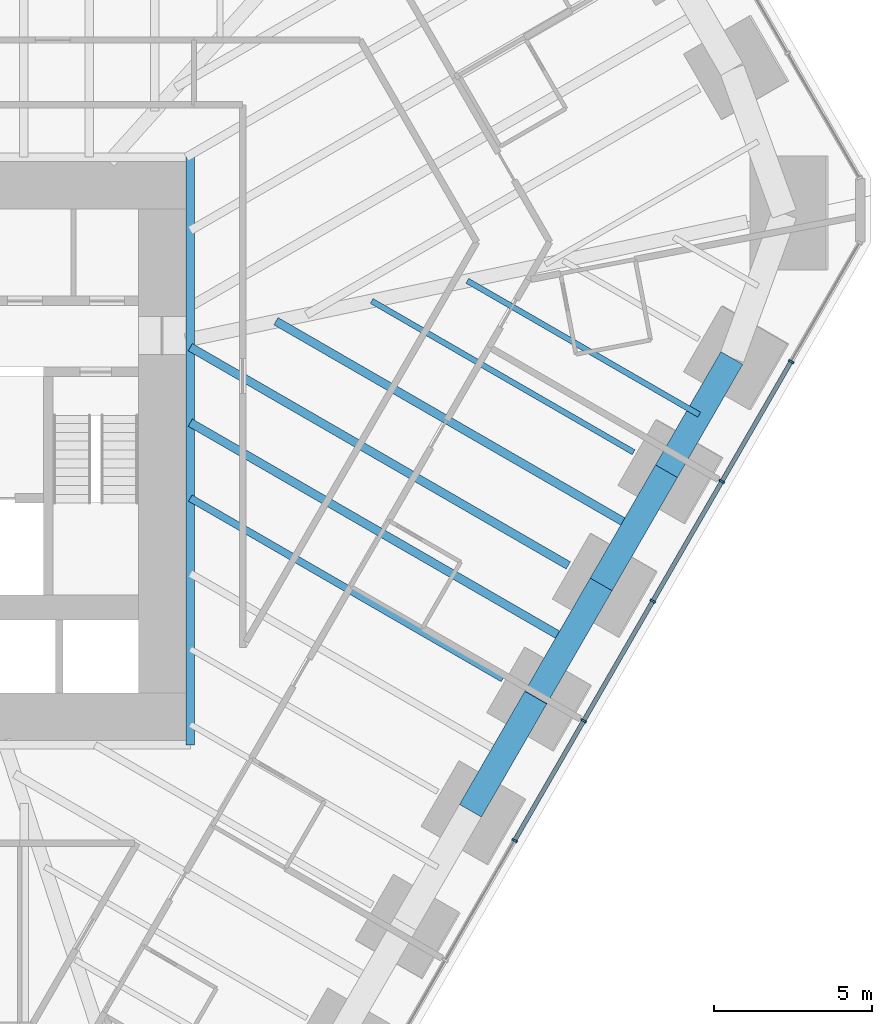
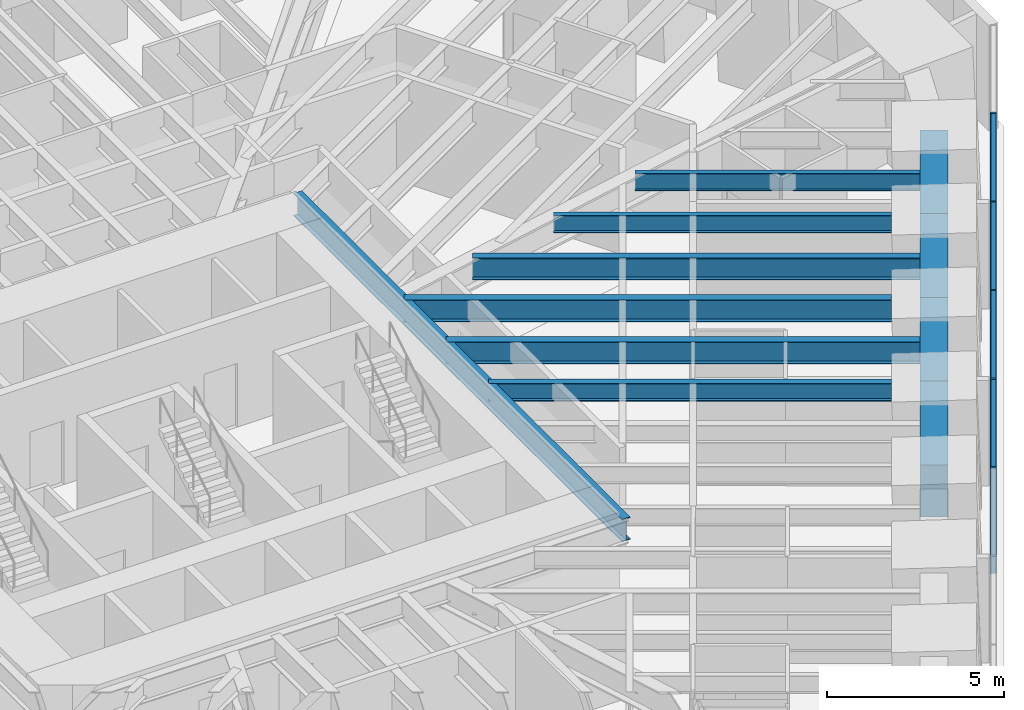
# One storey, part 6 of 17: 11 beams, 9 members, 1 element without a shape of its own.
"""IFC4 building model written with IfcOpenShell, lengths in metres."""

from ifc_helpers import new_model, si_unit, direction, frame, origin, origin_2d, place, context, subcontext, project, spatial, rectangle, i_section, extrude, material, material_profile, profile_set, type_object, element, aggregate, save


model = new_model("IFC4")

# Units and contexts
model_context = context("Model", 3, precision=1e-05, world=origin(), true_north=direction((0.0, 1.0)))
body_context = subcontext(model_context, "Body", "Model", "MODEL_VIEW")
ifc_project = project(units=[si_unit("LENGTHUNIT", "METRE"), si_unit("AREAUNIT", "SQUARE_METRE"), si_unit("VOLUMEUNIT", "CUBIC_METRE"), si_unit("PLANEANGLEUNIT", "RADIAN"), si_unit("MASSUNIT", "GRAM", prefix="KILO")], contexts=[model_context])

# Site, building, storey
site_placement = place(None, origin())
site = spatial("IfcSite", under=ifc_project, at=site_placement, CompositionType="ELEMENT")
building_placement = place(site_placement, origin())
building = spatial("IfcBuilding", under=site, at=building_placement, Name="Sandreach Pilgrim Tower", CompositionType="ELEMENT")
storey_placement = place(building_placement, frame((0.0, 0.0, 64.800048828125)))
storey = spatial("IfcBuildingStorey", under=building, at=storey_placement, Name="L15", CompositionType="ELEMENT", Elevation=64.800048828125)

# Curtain wall, members
ifc_material_1 = material(Name="Aluminium framed curtain wall", Category="aluminium")
curtain_wall_type = type_object("IfcCurtainWallType", Name="Hostel tower curtain wall", PredefinedType="NOTDEFINED", material=ifc_material_1)
curtain_wall_placement = place(storey_placement, origin())
curtain_wall = element("IfcCurtainWall", 1, at=curtain_wall_placement, inside=storey, type_object=curtain_wall_type, Name="CW-1 L15 SE", PredefinedType="NOTDEFINED")
ifc_material_2 = material(Name="Aluminium extrusion", Category="aluminium")
ifc_material_profile_1 = material_profile(ifc_material_2, rectangle(XDim=0.06494140625, YDim=0.179931640625, at=origin_2d()), Name="CW-1M 65X180")
ifc_profile_set_1 = profile_set([ifc_material_profile_1], Name="Aluminium extrusion")
member_type_1 = type_object("IfcMemberType", Name="CW-1 mullion", PredefinedType="MULLION", material=ifc_profile_set_1)
member_1_placement = place(storey_placement, frame((28.390380859375, 1.2763671875, 0.0), z_axis=(0.0, 0.0, 1.0), x_axis=(-0.5, -0.866025403784, 0.0)))
member_1 = element("IfcMember", 2, at=member_1_placement, type_object=member_type_1, Name="CW-1 mullion 2", PredefinedType="MULLION", context=body_context, shape_type="SweptSolid", body=[
    extrude(rectangle(XDim=0.06494140625, YDim=0.179931640625, at=origin_2d()), origin(), (0.0, 0.0, 1.0), 3.639892578125),
])
member_2_placement = place(storey_placement, frame((26.20458984375, -2.509521484375, 0.0), z_axis=(0.0, 0.0, 1.0), x_axis=(-0.5, -0.866025403784, 0.0)))
member_2 = element("IfcMember", 3, at=member_2_placement, type_object=member_type_1, Name="CW-1 mullion 3", PredefinedType="MULLION", context=body_context, shape_type="SweptSolid", body=[
    extrude(rectangle(XDim=0.06494140625, YDim=0.179931640625, at=origin_2d()), origin(), (0.0, 0.0, 1.0), 3.639892578125),
])
member_3_placement = place(storey_placement, frame((24.018798828125, -6.29541015625, 0.0), z_axis=(0.0, 0.0, 1.0), x_axis=(-0.5, -0.866025403784, 0.0)))
member_3 = element("IfcMember", 4, at=member_3_placement, type_object=member_type_1, Name="CW-1 mullion 4", PredefinedType="MULLION", context=body_context, shape_type="SweptSolid", body=[
    extrude(rectangle(XDim=0.06494140625, YDim=0.179931640625, at=origin_2d()), origin(), (0.0, 0.0, 1.0), 3.639892578125),
])
member_4_placement = place(storey_placement, frame((21.8330078125, -10.081298828125, 0.0), z_axis=(0.0, 0.0, 1.0), x_axis=(-0.5, -0.866025403784, 0.0)))
member_4 = element("IfcMember", 5, at=member_4_placement, type_object=member_type_1, Name="CW-1 mullion 5", PredefinedType="MULLION", context=body_context, shape_type="SweptSolid", body=[
    extrude(rectangle(XDim=0.06494140625, YDim=0.179931640625, at=origin_2d()), origin(), (0.0, 0.0, 1.0), 3.639892578125),
])
member_5_placement = place(storey_placement, frame((19.647216796875, -13.8671875, 0.0), z_axis=(0.0, 0.0, 1.0), x_axis=(-0.5, -0.866025403784, 0.0)))
member_5 = element("IfcMember", 6, at=member_5_placement, type_object=member_type_1, Name="CW-1 mullion 6", PredefinedType="MULLION", context=body_context, shape_type="SweptSolid", body=[
    extrude(rectangle(XDim=0.06494140625, YDim=0.179931640625, at=origin_2d()), origin(), (0.0, 0.0, 1.0), 3.639892578125),
])
ifc_material_3 = material(Name="Aluminium extrusion", Category="aluminium")
ifc_material_profile_2 = material_profile(ifc_material_3, rectangle(XDim=0.139892578125, YDim=0.070068359375, at=origin_2d()), Name="CW-1T 140X70")
ifc_profile_set_2 = profile_set([ifc_material_profile_2], Name="Aluminium extrusion")
member_type_2 = type_object("IfcMemberType", Name="CW-1 transom", PredefinedType="USERDEFINED", material=ifc_profile_set_2)
member_6_placement = place(storey_placement, frame((28.374267578125, 1.248046875, 3.60498046875), z_axis=(-0.500016891966, -0.866015650984, 0.0), x_axis=(0.866015650984, -0.500016891966, 0.0)))
member_6 = element("IfcMember", 7, at=member_6_placement, type_object=member_type_2, Name="CW-1 head transom 2", ObjectType="TRANSOM", PredefinedType="USERDEFINED", context=body_context, shape_type="SweptSolid", body=[
    extrude(rectangle(XDim=0.139892578125, YDim=0.070068359375, at=origin_2d()), origin(), (0.0, 0.0, 1.0), 4.306396484375),
])
member_7_placement = place(storey_placement, frame((26.1884765625, -2.537841796875, 3.60498046875), z_axis=(-0.500016891966, -0.866015650984, 0.0), x_axis=(0.866015650984, -0.500016891966, 0.0)))
member_7 = element("IfcMember", 8, at=member_7_placement, type_object=member_type_2, Name="CW-1 head transom 3", ObjectType="TRANSOM", PredefinedType="USERDEFINED", context=body_context, shape_type="SweptSolid", body=[
    extrude(rectangle(XDim=0.139892578125, YDim=0.070068359375, at=origin_2d()), origin(), (0.0, 0.0, 1.0), 4.306396484375),
])
member_8_placement = place(storey_placement, frame((24.002685546875, -6.32373046875, 3.60498046875), z_axis=(-0.500016891966, -0.866015650984, 0.0), x_axis=(0.866015650984, -0.500016891966, 0.0)))
member_8 = element("IfcMember", 9, at=member_8_placement, type_object=member_type_2, Name="CW-1 head transom 4", ObjectType="TRANSOM", PredefinedType="USERDEFINED", context=body_context, shape_type="SweptSolid", body=[
    extrude(rectangle(XDim=0.139892578125, YDim=0.070068359375, at=origin_2d()), origin(), (0.0, 0.0, 1.0), 4.306396484375),
])
member_9_placement = place(storey_placement, frame((21.81689453125, -10.109619140625, 3.60498046875), z_axis=(-0.500016891966, -0.866015650984, 0.0), x_axis=(0.866015650984, -0.500016891966, 0.0)))
member_9 = element("IfcMember", 10, at=member_9_placement, type_object=member_type_2, Name="CW-1 head transom 5", ObjectType="TRANSOM", PredefinedType="USERDEFINED", context=body_context, shape_type="SweptSolid", body=[
    extrude(rectangle(XDim=0.139892578125, YDim=0.070068359375, at=origin_2d()), origin(), (0.0, 0.0, 1.0), 4.306396484375),
])
aggregate(curtain_wall, [member_1, member_2, member_3, member_4, member_5, member_6, member_7, member_8, member_9])

# Beams
ifc_material_4 = material(Name="Steel ASTM A992 Grade 50", Category="steel")
ifc_material_profile_3 = material_profile(ifc_material_4, i_section(OverallWidth=0.2666015625, OverallDepth=0.77978515625, WebThickness=0.0166015625, FlangeThickness=0.030029296875, at=origin_2d()), Name="W30X148")
ifc_profile_set_3 = profile_set([ifc_material_profile_3], Name="Steel ASTM A992 Grade 50")
beam_type_1 = type_object("IfcBeamType", Name="Core edge beam W30X148", PredefinedType="BEAM", material=ifc_profile_set_3)
beam_1_placement = place(storey_placement, frame((9.393310546875, 7.743408203125, 3.25), z_axis=(0.0, -1.0, 0.0), x_axis=(1.0, 0.0, 0.0)))
element("IfcBeam", 11, at=beam_1_placement, inside=storey, type_object=beam_type_1, Name="BM L15 CEE", PredefinedType="BEAM", context=body_context, shape_type="SweptSolid", body=[
    extrude(i_section(OverallWidth=0.2666015625, OverallDepth=0.77978515625, WebThickness=0.0166015625, FlangeThickness=0.030029296875, at=origin_2d()), origin(), (0.0, 0.0, 1.0), 18.586669921875),
])
ifc_material_5 = material(Name="Steel ASTM A992 Grade 50", Category="steel")
ifc_material_profile_4 = material_profile(ifc_material_5, i_section(OverallWidth=0.1787109375, OverallDepth=0.60205078125, WebThickness=0.010986328125, FlangeThickness=0.014892578125, at=origin_2d()), Name="W24X62")
ifc_profile_set_4 = profile_set([ifc_material_profile_4], Name="Steel ASTM A992 Grade 50")
beam_type_2 = type_object("IfcBeamType", Name="Floor beam W24X62", PredefinedType="BEAM", material=ifc_profile_set_4)
beam_2_placement = place(storey_placement, frame((23.412353515625, -1.58837890625, 3.3388671875), z_axis=(-0.86603087054, 0.499990531182, 0.0), x_axis=(-0.499990531182, -0.86603087054, 0.0)))
element("IfcBeam", 12, at=beam_2_placement, inside=storey, type_object=beam_type_2, Name="BM L15 F15", PredefinedType="BEAM", context=body_context, shape_type="SweptSolid", body=[
    extrude(i_section(OverallWidth=0.1787109375, OverallDepth=0.60205078125, WebThickness=0.010986328125, FlangeThickness=0.014892578125, at=origin_2d()), origin(), (0.0, 0.0, 1.0), 9.565185546875),
])
beam_3_placement = place(storey_placement, frame((25.484619140625, -0.399169921875, 3.3388671875), z_axis=(-0.866024677295, 0.500001258315, 0.0), x_axis=(-0.500001258315, -0.866024677295, 0.0)))
element("IfcBeam", 13, at=beam_3_placement, inside=storey, type_object=beam_type_2, Name="BM L15 FM14", PredefinedType="BEAM", context=body_context, shape_type="SweptSolid", body=[
    extrude(i_section(OverallWidth=0.1787109375, OverallDepth=0.60205078125, WebThickness=0.010986328125, FlangeThickness=0.014892578125, at=origin_2d()), origin(), (0.0, 0.0, 1.0), 8.46435546875),
])
ifc_material_6 = material(Name="Steel ASTM A992 Grade 50", Category="steel")
ifc_material_profile_5 = material_profile(ifc_material_6, i_section(OverallWidth=0.23046875, OverallDepth=0.6171875, WebThickness=0.01318359375, FlangeThickness=0.022216796875, at=origin_2d()), Name="W24X94")
ifc_profile_set_5 = profile_set([ifc_material_profile_5], Name="Steel ASTM A992 Grade 50")
beam_type_3 = type_object("IfcBeamType", Name="Floor beam W24X94", PredefinedType="BEAM", material=ifc_profile_set_5)
beam_4_placement = place(storey_placement, frame((19.280029296875, -8.74560546875, 3.331298828125), z_axis=(-0.866028890243, 0.499993961228, 0.0), x_axis=(-0.499993961228, -0.866028890243, 0.0)))
element("IfcBeam", 14, at=beam_4_placement, inside=storey, type_object=beam_type_3, Name="BM L15 F17", PredefinedType="BEAM", context=body_context, shape_type="SweptSolid", body=[
    extrude(i_section(OverallWidth=0.23046875, OverallDepth=0.6171875, WebThickness=0.01318359375, FlangeThickness=0.022216796875, at=origin_2d()), origin(), (0.0, 0.0, 1.0), 11.416259765625),
])
ifc_material_7 = material(Name="Steel ASTM A992 Grade 50", Category="steel")
ifc_material_profile_6 = material_profile(ifc_material_7, i_section(OverallWidth=0.2666015625, OverallDepth=0.761962890625, WebThickness=0.014404296875, FlangeThickness=0.021484375, at=origin_2d()), Name="W30X116")
ifc_profile_set_6 = profile_set([ifc_material_profile_6], Name="Steel ASTM A992 Grade 50")
beam_type_4 = type_object("IfcBeamType", Name="Floor beam W30X116", PredefinedType="BEAM", material=ifc_profile_set_6)
beam_5_placement = place(storey_placement, frame((21.34619140625, -5.1669921875, 3.259033203125), z_axis=(-0.866029170928, 0.49999347506, 0.0), x_axis=(-0.49999347506, -0.866029170928, 0.0)))
element("IfcBeam", 15, at=beam_5_placement, inside=storey, type_object=beam_type_4, Name="BM L15 F16", PredefinedType="BEAM", context=body_context, shape_type="SweptSolid", body=[
    extrude(i_section(OverallWidth=0.2666015625, OverallDepth=0.761962890625, WebThickness=0.014404296875, FlangeThickness=0.021484375, at=origin_2d()), origin(), (0.0, 0.0, 1.0), 13.802001953125),
])
beam_6_placement = place(storey_placement, frame((23.41845703125, -3.977783203125, 3.259033203125), z_axis=(-0.866022229169, 0.500005498556, 0.0), x_axis=(-0.500005498556, -0.866022229169, 0.0)))
element("IfcBeam", 16, at=beam_6_placement, inside=storey, type_object=beam_type_4, Name="BM L15 FM15", PredefinedType="BEAM", context=body_context, shape_type="SweptSolid", body=[
    extrude(i_section(OverallWidth=0.2666015625, OverallDepth=0.761962890625, WebThickness=0.014404296875, FlangeThickness=0.021484375, at=origin_2d()), origin(), (0.0, 0.0, 1.0), 13.066162109375),
])
beam_7_placement = place(storey_placement, frame((21.352294921875, -7.556396484375, 3.259033203125), z_axis=(-0.866024834103, 0.500000986716, 0.0), x_axis=(-0.500000986716, -0.866024834103, 0.0)))
element("IfcBeam", 17, at=beam_7_placement, inside=storey, type_object=beam_type_4, Name="BM L15 FM16", PredefinedType="BEAM", context=body_context, shape_type="SweptSolid", body=[
    extrude(i_section(OverallWidth=0.2666015625, OverallDepth=0.761962890625, WebThickness=0.014404296875, FlangeThickness=0.021484375, at=origin_2d()), origin(), (0.0, 0.0, 1.0), 13.80908203125),
])
ifc_material_8 = material(Name="Concrete 10000 psi", Category="concrete")
ifc_material_profile_7 = material_profile(ifc_material_8, rectangle(XDim=0.800048828125, YDim=1.800048828125, at=origin_2d()), Name="RC800X1800")
ifc_profile_set_7 = profile_set([ifc_material_profile_7], Name="Concrete 10000 psi")
beam_type_5 = type_object("IfcBeamType", Name="Spandrel beam RC800X1800", PredefinedType="SPANDREL", material=ifc_profile_set_7)
beam_8_placement = place(storey_placement, frame((26.517578125, 1.39013671875, 2.739990234375), z_axis=(-0.500008851346, -0.866020293397, 0.0), x_axis=(0.866020293397, -0.500008851346, 0.0)))
element("IfcBeam", 18, at=beam_8_placement, inside=storey, type_object=beam_type_5, Name="BM L15 SP14", PredefinedType="SPANDREL", context=body_context, shape_type="SweptSolid", body=[
    extrude(rectangle(XDim=0.800048828125, YDim=1.800048828125, at=origin_2d()), origin(), (0.0, 0.0, 1.0), 4.13232421875),
])
beam_9_placement = place(storey_placement, frame((24.451416015625, -2.1884765625, 2.739990234375), z_axis=(-0.499964538592, -0.86604587647, 0.0), x_axis=(0.86604587647, -0.499964538592, 0.0)))
element("IfcBeam", 19, at=beam_9_placement, inside=storey, type_object=beam_type_5, Name="BM L15 SP15", PredefinedType="SPANDREL", context=body_context, shape_type="SweptSolid", body=[
    extrude(rectangle(XDim=0.800048828125, YDim=1.800048828125, at=origin_2d()), origin(), (0.0, 0.0, 1.0), 4.132080078125),
])
for number, where, z_axis, x_axis, name in (
    (20, (22.385498046875, -5.76708984375, 2.739990234375), (-0.500008851346, -0.866020293397, 0.0), (0.866020293397, -0.500008851346, 0.0), "BM L15 SP16"),
    (21, (20.3193359375, -9.345703125, 2.739990234375), (-0.500008851346, -0.866020293397, 0.0), (0.866020293397, -0.500008851346, 0.0), "BM L15 SP17"),
):
    element("IfcBeam", number, at=place(storey_placement, frame(where, z_axis=z_axis, x_axis=x_axis)), inside=storey, type_object=beam_type_5, Name=name, PredefinedType="SPANDREL", context=body_context, shape_type="SweptSolid", body=[
        extrude(rectangle(XDim=0.800048828125, YDim=1.800048828125, at=origin_2d()), origin(), (0.0, 0.0, 1.0), 4.13232421875),
    ])

save(model, "model.ifc")
